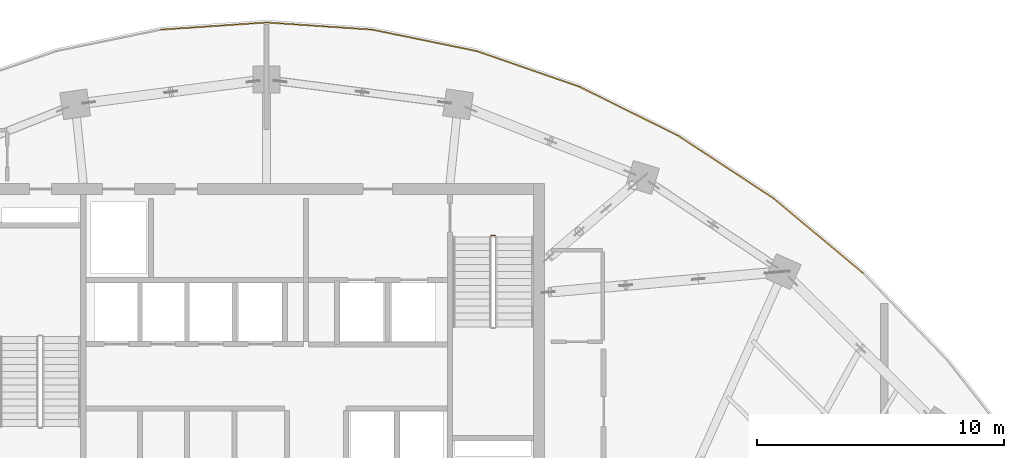
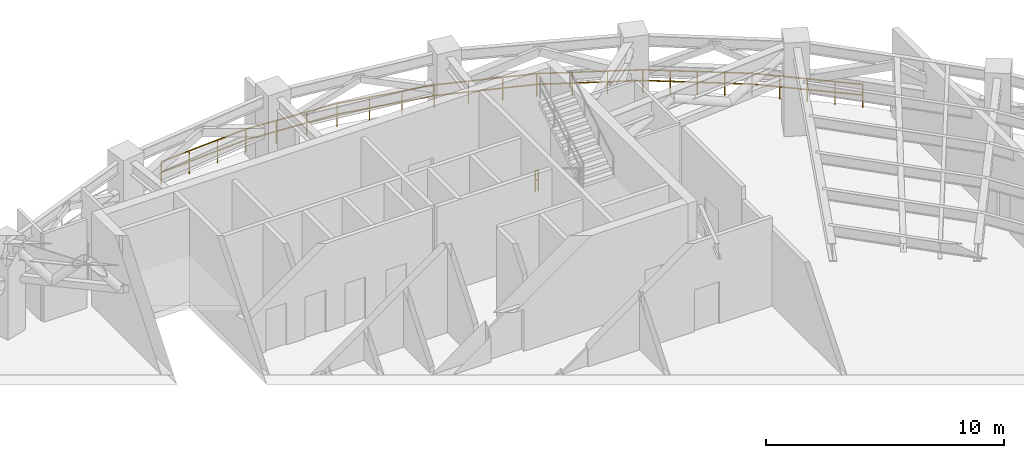
# One storey, part 18 of 19: 8 railings.
"""IFC4 building model written with IfcOpenShell, lengths in metres."""

from ifc_helpers import new_model, si_unit, direction, frame, origin, origin_2d, place, context, subcontext, project, spatial, rectangle, extrude, material, type_object, element, save


model = new_model("IFC4")

# Units and contexts
model_context = context("Model", 3, precision=1e-05, world=origin(), true_north=direction((0.0, 1.0)))
body_context = subcontext(model_context, "Body", "Model", "MODEL_VIEW")
ifc_project = project(units=[si_unit("LENGTHUNIT", "METRE"), si_unit("AREAUNIT", "SQUARE_METRE"), si_unit("VOLUMEUNIT", "CUBIC_METRE"), si_unit("PLANEANGLEUNIT", "RADIAN"), si_unit("MASSUNIT", "GRAM", prefix="KILO")], contexts=[model_context])

# Site, building, storey
site_placement = place(None, origin())
site = spatial("IfcSite", under=ifc_project, at=site_placement, CompositionType="ELEMENT")
building_placement = place(site_placement, origin())
building = spatial("IfcBuilding", under=site, at=building_placement, Name="Breltana Convention Tower", CompositionType="ELEMENT")
storey_placement = place(building_placement, frame((0.0, 0.0, 194.39990234375)))
storey = spatial("IfcBuildingStorey", under=building, at=storey_placement, Name="L47", CompositionType="ELEMENT", Elevation=194.39990234375)

# Railings
ifc_material_1 = material(Name="Steel S275 Painted", Category="steel")
railing_type_1 = type_object("IfcRailingType", Name="RL-STAIR-GUARD-1100", PredefinedType="GUARDRAIL", material=ifc_material_1)
railing_1_placement = place(storey_placement, frame((57.090087890625, 70.090087890625, 0.0)))
element("IfcRailing", 1, at=railing_1_placement, inside=storey, type_object=railing_type_1, Name="L47 ST-2 stair guard 4", PredefinedType="GUARDRAIL", context=body_context, shape_type="SweptSolid", body=[
    extrude(rectangle(XDim=0.048095703125, YDim=0.048095703125, at=origin_2d()), frame((0.0, 0.0, 1.076171875), z_axis=(1.0, 0.0, 0.0), x_axis=(0.0, 1.0, 0.0)), (0.0, 0.0, 1.0), 0.14990234375),
    extrude(rectangle(XDim=0.048095703125, YDim=0.048095703125, at=origin_2d()), frame((0.0, 0.0, 0.572021484375), z_axis=(1.0, 0.0, 0.0), x_axis=(0.0, 1.0, 0.0)), (0.0, 0.0, 1.0), 0.14990234375),
    extrude(rectangle(XDim=0.0419921875, YDim=0.0419921875, at=origin_2d()), origin(), (0.0, 0.0, 1.0), 1.052001953125),
    extrude(rectangle(XDim=0.0419921875, YDim=0.0419921875, at=origin_2d()), frame((0.14990234375, 0.0, 0.0)), (0.0, 0.0, 1.0), 1.052001953125),
])
ifc_material_2 = material(Name="Stainless Steel 316L", Category="steel")
railing_type_2 = type_object("IfcRailingType", Name="RL-WIND-GUARD-1200", PredefinedType="BALUSTRADE", material=ifc_material_2)
railing_2_placement = place(storey_placement, frame((43.728759765625, 78.42578125, 0.0)))
element("IfcRailing", 2, at=railing_2_placement, inside=storey, type_object=railing_type_2, Name="L47 perimeter balustrade 59", PredefinedType="BALUSTRADE", context=body_context, shape_type="SweptSolid", body=[
    extrude(rectangle(XDim=0.048095703125, YDim=0.048095703125, at=origin_2d()), frame((0.0, 0.0, 1.17578125), z_axis=(0.99770239047, 0.067749096306, 0.0), x_axis=(-0.067749096306, 0.99770239047, 0.0)), (0.0, 0.0, 1.0), 4.281005859375),
    extrude(rectangle(XDim=0.048095703125, YDim=0.048095703125, at=origin_2d()), frame((0.0, 0.0, 0.6240234375), z_axis=(0.99770239047, 0.067749096306, 0.0), x_axis=(-0.067749096306, 0.99770239047, 0.0)), (0.0, 0.0, 1.0), 4.281005859375),
    extrude(rectangle(XDim=0.0419921875, YDim=0.0419921875, at=origin_2d()), origin(), (0.0, 0.0, 1.0), 1.15185546875),
    extrude(rectangle(XDim=0.0419921875, YDim=0.0419921875, at=origin_2d()), frame((1.423828125, 0.0966796875, 0.0)), (0.0, 0.0, 1.0), 1.15185546875),
    extrude(rectangle(XDim=0.0419921875, YDim=0.0419921875, at=origin_2d()), frame((2.847412109375, 0.193359375, 0.0)), (0.0, 0.0, 1.0), 1.15185546875),
    extrude(rectangle(XDim=0.0419921875, YDim=0.0419921875, at=origin_2d()), frame((4.271240234375, 0.2900390625, 0.0)), (0.0, 0.0, 1.0), 1.15185546875),
])
railing_3_placement = place(storey_placement, frame((48.0, 78.7158203125, 0.0)))
element("IfcRailing", 3, at=railing_3_placement, inside=storey, type_object=railing_type_2, Name="L47 perimeter balustrade 60", PredefinedType="BALUSTRADE", context=body_context, shape_type="SweptSolid", body=[
    extrude(rectangle(XDim=0.048095703125, YDim=0.048095703125, at=origin_2d()), frame((0.0, 0.0, 1.17578125), z_axis=(0.99770239047, -0.067749096306, 0.0), x_axis=(0.067749096306, 0.99770239047, 0.0)), (0.0, 0.0, 1.0), 4.281005859375),
    extrude(rectangle(XDim=0.048095703125, YDim=0.048095703125, at=origin_2d()), frame((0.0, 0.0, 0.6240234375), z_axis=(0.99770239047, -0.067749096306, 0.0), x_axis=(0.067749096306, 0.99770239047, 0.0)), (0.0, 0.0, 1.0), 4.281005859375),
    extrude(rectangle(XDim=0.0419921875, YDim=0.0419921875, at=origin_2d()), origin(), (0.0, 0.0, 1.0), 1.15185546875),
    extrude(rectangle(XDim=0.0419921875, YDim=0.0419921875, at=origin_2d()), frame((1.423828125, -0.0966796875, 0.0)), (0.0, 0.0, 1.0), 1.15185546875),
    extrude(rectangle(XDim=0.0419921875, YDim=0.0419921875, at=origin_2d()), frame((2.847412109375, -0.193359375, 0.0)), (0.0, 0.0, 1.0), 1.15185546875),
    extrude(rectangle(XDim=0.0419921875, YDim=0.0419921875, at=origin_2d()), frame((4.271240234375, -0.2900390625, 0.0)), (0.0, 0.0, 1.0), 1.15185546875),
])
railing_4_placement = place(storey_placement, frame((52.271240234375, 78.42578125, 0.0)))
element("IfcRailing", 4, at=railing_4_placement, inside=storey, type_object=railing_type_2, Name="L47 perimeter balustrade 61", PredefinedType="BALUSTRADE", context=body_context, shape_type="SweptSolid", body=[
    extrude(rectangle(XDim=0.048095703125, YDim=0.048095703125, at=origin_2d()), frame((0.0, 0.0, 1.17578125), z_axis=(0.97961840065, -0.200867590987, 0.0), x_axis=(0.200867590987, 0.97961840065, 0.0)), (0.0, 0.0, 1.0), 4.31591796875),
    extrude(rectangle(XDim=0.048095703125, YDim=0.048095703125, at=origin_2d()), frame((0.0, 0.0, 0.6240234375), z_axis=(0.97961840065, -0.200867590987, 0.0), x_axis=(0.200867590987, 0.97961840065, 0.0)), (0.0, 0.0, 1.0), 4.31591796875),
    extrude(rectangle(XDim=0.0419921875, YDim=0.0419921875, at=origin_2d()), origin(), (0.0, 0.0, 1.0), 1.15185546875),
    extrude(rectangle(XDim=0.0419921875, YDim=0.0419921875, at=origin_2d()), frame((1.409423828125, -0.2890625, 0.0)), (0.0, 0.0, 1.0), 1.15185546875),
    extrude(rectangle(XDim=0.0419921875, YDim=0.0419921875, at=origin_2d()), frame((2.818603515625, -0.577880859375, 0.0)), (0.0, 0.0, 1.0), 1.15185546875),
    extrude(rectangle(XDim=0.0419921875, YDim=0.0419921875, at=origin_2d()), frame((4.22802734375, -0.866943359375, 0.0)), (0.0, 0.0, 1.0), 1.15185546875),
])
railing_5_placement = place(storey_placement, frame((56.499267578125, 77.558837890625, 0.0)))
element("IfcRailing", 5, at=railing_5_placement, inside=storey, type_object=railing_type_2, Name="L47 perimeter balustrade 62", PredefinedType="BALUSTRADE", context=body_context, shape_type="SweptSolid", body=[
    extrude(rectangle(XDim=0.048095703125, YDim=0.048095703125, at=origin_2d()), frame((0.0, 0.0, 1.17578125), z_axis=(0.944879401388, -0.327418565192, 0.0), x_axis=(0.327418565192, 0.944879401388, 0.0)), (0.0, 0.0, 1.0), 4.383056640625),
    extrude(rectangle(XDim=0.048095703125, YDim=0.048095703125, at=origin_2d()), frame((0.0, 0.0, 0.6240234375), z_axis=(0.944879401388, -0.327418565192, 0.0), x_axis=(0.327418565192, 0.944879401388, 0.0)), (0.0, 0.0, 1.0), 4.383056640625),
    extrude(rectangle(XDim=0.0419921875, YDim=0.0419921875, at=origin_2d()), origin(), (0.0, 0.0, 1.0), 1.15185546875),
    extrude(rectangle(XDim=0.0419921875, YDim=0.0419921875, at=origin_2d()), frame((1.38037109375, -0.478271484375, 0.0)), (0.0, 0.0, 1.0), 1.15185546875),
    extrude(rectangle(XDim=0.0419921875, YDim=0.0419921875, at=origin_2d()), frame((2.760986328125, -0.956787109375, 0.0)), (0.0, 0.0, 1.0), 1.15185546875),
    extrude(rectangle(XDim=0.0419921875, YDim=0.0419921875, at=origin_2d()), frame((4.141357421875, -1.43505859375, 0.0)), (0.0, 0.0, 1.0), 1.15185546875),
])
railing_6_placement = place(storey_placement, frame((60.640625, 76.123779296875, 0.0)))
element("IfcRailing", 6, at=railing_6_placement, inside=storey, type_object=railing_type_2, Name="L47 perimeter balustrade 63", PredefinedType="BALUSTRADE", context=body_context, shape_type="SweptSolid", body=[
    extrude(rectangle(XDim=0.048095703125, YDim=0.048095703125, at=origin_2d()), frame((0.0, 0.0, 1.17578125), z_axis=(0.895969990972, -0.44411459701, 0.0), x_axis=(0.44411459701, 0.895969990972, 0.0)), (0.0, 0.0, 1.0), 4.478515625),
    extrude(rectangle(XDim=0.048095703125, YDim=0.048095703125, at=origin_2d()), frame((0.0, 0.0, 0.6240234375), z_axis=(0.895969990972, -0.44411459701, 0.0), x_axis=(0.44411459701, 0.895969990972, 0.0)), (0.0, 0.0, 1.0), 4.478515625),
    extrude(rectangle(XDim=0.0419921875, YDim=0.0419921875, at=origin_2d()), origin(), (0.0, 0.0, 1.0), 1.15185546875),
    extrude(rectangle(XDim=0.0419921875, YDim=0.0419921875, at=origin_2d()), frame((1.337646484375, -0.6630859375, 0.0)), (0.0, 0.0, 1.0), 1.15185546875),
    extrude(rectangle(XDim=0.0419921875, YDim=0.0419921875, at=origin_2d()), frame((2.675048828125, -1.325927734375, 0.0)), (0.0, 0.0, 1.0), 1.15185546875),
    extrude(rectangle(XDim=0.0419921875, YDim=0.0419921875, at=origin_2d()), frame((4.0126953125, -1.989013671875, 0.0)), (0.0, 0.0, 1.0), 1.15185546875),
])
railing_7_placement = place(storey_placement, frame((64.6533203125, 74.134765625, 0.0)))
element("IfcRailing", 7, at=railing_7_placement, inside=storey, type_object=railing_type_2, Name="L47 perimeter balustrade 64", PredefinedType="BALUSTRADE", context=body_context, shape_type="SweptSolid", body=[
    extrude(rectangle(XDim=0.048095703125, YDim=0.048095703125, at=origin_2d()), frame((0.0, 0.0, 1.17578125), z_axis=(0.835935222433, -0.548828118718, 0.0), x_axis=(0.548828118718, 0.835935222433, 0.0)), (0.0, 0.0, 1.0), 4.596923828125),
    extrude(rectangle(XDim=0.048095703125, YDim=0.048095703125, at=origin_2d()), frame((0.0, 0.0, 0.6240234375), z_axis=(0.835935222433, -0.548828118718, 0.0), x_axis=(0.548828118718, 0.835935222433, 0.0)), (0.0, 0.0, 1.0), 4.596923828125),
    extrude(rectangle(XDim=0.0419921875, YDim=0.0419921875, at=origin_2d()), origin(), (0.0, 0.0, 1.0), 1.15185546875),
    extrude(rectangle(XDim=0.0419921875, YDim=0.0419921875, at=origin_2d()), frame((0.960693359375, -0.630859375, 0.0)), (0.0, 0.0, 1.0), 1.15185546875),
    extrude(rectangle(XDim=0.0419921875, YDim=0.0419921875, at=origin_2d()), frame((1.92138671875, -1.261474609375, 0.0)), (0.0, 0.0, 1.0), 1.15185546875),
    extrude(rectangle(XDim=0.0419921875, YDim=0.0419921875, at=origin_2d()), frame((2.882080078125, -1.89208984375, 0.0)), (0.0, 0.0, 1.0), 1.15185546875),
    extrude(rectangle(XDim=0.0419921875, YDim=0.0419921875, at=origin_2d()), frame((3.8427734375, -2.52294921875, 0.0)), (0.0, 0.0, 1.0), 1.15185546875),
])
railing_8_placement = place(storey_placement, frame((68.49609375, 71.61181640625, 0.0)))
element("IfcRailing", 8, at=railing_8_placement, inside=storey, type_object=railing_type_2, Name="L47 perimeter balustrade 65", PredefinedType="BALUSTRADE", context=body_context, shape_type="SweptSolid", body=[
    extrude(rectangle(XDim=0.048095703125, YDim=0.048095703125, at=origin_2d()), frame((0.0, 0.0, 1.17578125), z_axis=(0.7679717109, -0.640483763461, 0.0), x_axis=(0.640483763461, 0.7679717109, 0.0)), (0.0, 0.0, 1.0), 4.73193359375),
    extrude(rectangle(XDim=0.048095703125, YDim=0.048095703125, at=origin_2d()), frame((0.0, 0.0, 0.6240234375), z_axis=(0.7679717109, -0.640483763461, 0.0), x_axis=(0.640483763461, 0.7679717109, 0.0)), (0.0, 0.0, 1.0), 4.73193359375),
    extrude(rectangle(XDim=0.0419921875, YDim=0.0419921875, at=origin_2d()), origin(), (0.0, 0.0, 1.0), 1.15185546875),
    extrude(rectangle(XDim=0.0419921875, YDim=0.0419921875, at=origin_2d()), frame((0.908447265625, -0.7578125, 0.0)), (0.0, 0.0, 1.0), 1.15185546875),
    extrude(rectangle(XDim=0.0419921875, YDim=0.0419921875, at=origin_2d()), frame((1.81689453125, -1.515380859375, 0.0)), (0.0, 0.0, 1.0), 1.15185546875),
    extrude(rectangle(XDim=0.0419921875, YDim=0.0419921875, at=origin_2d()), frame((2.7255859375, -2.27294921875, 0.0)), (0.0, 0.0, 1.0), 1.15185546875),
    extrude(rectangle(XDim=0.0419921875, YDim=0.0419921875, at=origin_2d()), frame((3.634033203125, -3.03076171875, 0.0)), (0.0, 0.0, 1.0), 1.15185546875),
])

save(model, "model.ifc")
